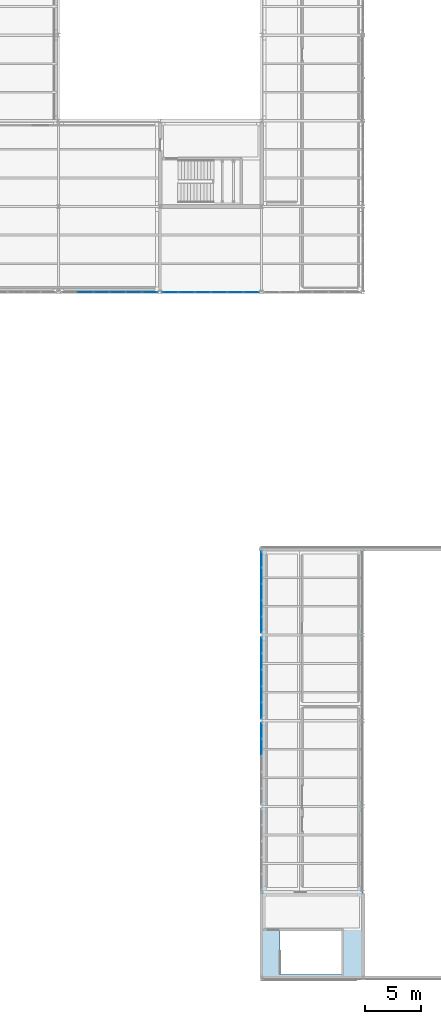
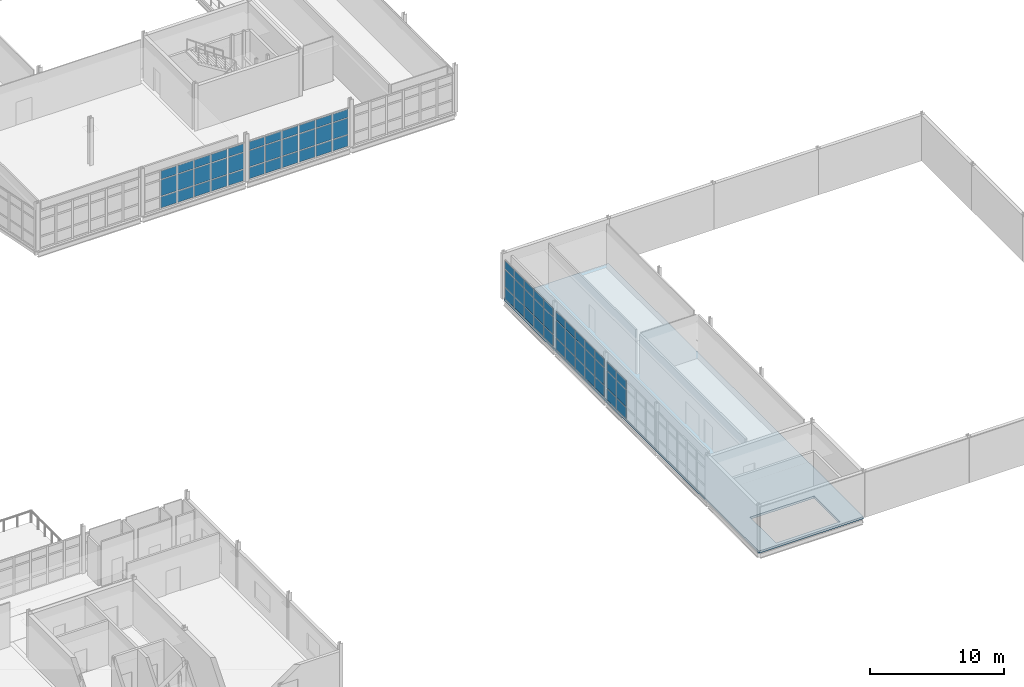
# One storey, part 136 of 166: 69 plates, 1 slab, 5 elements without a shape of their own.
"""IFC4 building model written with IfcOpenShell, lengths in metres."""

from ifc_helpers import new_model, si_unit, direction, frame, origin, origin_2d, place, context, subcontext, project, spatial, polyline, rectangle, outline, extrude, material, layer, layer_set, type_object, element, aggregate, save


model = new_model("IFC4")

# Units and contexts
model_context = context("Model", 3, precision=1e-05, world=origin(), true_north=direction((0.0, 1.0)))
body_context = subcontext(model_context, "Body", "Model", "MODEL_VIEW")
ifc_project = project(units=[si_unit("LENGTHUNIT", "METRE"), si_unit("AREAUNIT", "SQUARE_METRE"), si_unit("VOLUMEUNIT", "CUBIC_METRE"), si_unit("PLANEANGLEUNIT", "RADIAN"), si_unit("MASSUNIT", "GRAM", prefix="KILO")], contexts=[model_context])

# Site, building, storey
site_placement = place(None, origin())
site = spatial("IfcSite", under=ifc_project, at=site_placement, CompositionType="ELEMENT")
building_placement = place(site_placement, origin())
building = spatial("IfcBuilding", under=site, at=building_placement, Name="Caisbarro Railhouse Central Library", CompositionType="ELEMENT")
storey_placement = place(building_placement, frame((0.0, 0.0, 9.360107421875)))
storey = spatial("IfcBuildingStorey", under=building, at=storey_placement, Name="L02", CompositionType="ELEMENT", Elevation=9.360107421875)

# Curtain wall, plates
ifc_material_1 = material(Name="Anodised architectural aluminium", Category="aluminium")
curtain_wall_type = type_object("IfcCurtainWallType", Name="CW-CW02", PredefinedType="NOTDEFINED", material=ifc_material_1)
curtain_wall_1_placement = place(storey_placement, origin())
curtain_wall_1 = element("IfcCurtainWall", 1, at=curtain_wall_1_placement, inside=storey, type_object=curtain_wall_type, Name="CW02 curtain wall L02 #134", PredefinedType="NOTDEFINED")
ifc_material_2 = material(Name="Double low-e laminated solar-control glass", Category="glass")
ifc_layer_1 = layer(ifc_material_2, 0.028076171875, Name="Double low-e laminated solar-control glass")
ifc_layer_set_1 = layer_set([ifc_layer_1], Name="Double low-e laminated solar-control glass")
plate_type_1 = type_object("IfcPlateType", Name="CWP-CP28", PredefinedType="CURTAIN_PANEL", material=ifc_layer_set_1)
plate_1_placement = place(storey_placement, frame((128.330078125, 60.800048828125, 0.07470703125), z_axis=(0.0, 0.0, 1.0), x_axis=(1.0, 0.0, 0.0)))
plate_1 = element("IfcPlate", 2, at=plate_1_placement, type_object=plate_type_1, Name="CW02 panel 2.1", PredefinedType="CURTAIN_PANEL", context=body_context, shape_type="SweptSolid", body=[
    extrude(rectangle(XDim=1.37158203125, YDim=0.028076171875, at=origin_2d()), origin(), (0.0, 0.0, 1.0), 1.007568359375),
])
plate_2_placement = place(storey_placement, frame((128.330078125, 60.800048828125, 1.1572265625), z_axis=(0.0, 0.0, 1.0), x_axis=(1.0, 0.0, 0.0)))
plate_2 = element("IfcPlate", 3, at=plate_2_placement, type_object=plate_type_1, Name="CW02 panel 2.2", PredefinedType="CURTAIN_PANEL", context=body_context, shape_type="SweptSolid", body=[
    extrude(rectangle(XDim=1.37158203125, YDim=0.028076171875, at=origin_2d()), origin(), (0.0, 0.0, 1.0), 1.465087890625),
])
plate_3_placement = place(storey_placement, frame((128.330078125, 60.800048828125, 2.697265625), z_axis=(0.0, 0.0, 1.0), x_axis=(1.0, 0.0, 0.0)))
plate_3 = element("IfcPlate", 4, at=plate_3_placement, type_object=plate_type_1, Name="CW02 panel 2.3", PredefinedType="CURTAIN_PANEL", context=body_context, shape_type="SweptSolid", body=[
    extrude(rectangle(XDim=1.37158203125, YDim=0.028076171875, at=origin_2d()), origin(), (0.0, 0.0, 1.0), 0.737548828125),
])
plate_4_placement = place(storey_placement, frame((129.776611328125, 60.800048828125, 0.07470703125), z_axis=(0.0, 0.0, 1.0), x_axis=(1.0, 0.0, 0.0)))
plate_4 = element("IfcPlate", 5, at=plate_4_placement, type_object=plate_type_1, Name="CW02 panel 3.1", PredefinedType="CURTAIN_PANEL", context=body_context, shape_type="SweptSolid", body=[
    extrude(rectangle(XDim=1.37158203125, YDim=0.028076171875, at=origin_2d()), origin(), (0.0, 0.0, 1.0), 1.007568359375),
])
plate_5_placement = place(storey_placement, frame((129.776611328125, 60.800048828125, 1.1572265625), z_axis=(0.0, 0.0, 1.0), x_axis=(1.0, 0.0, 0.0)))
plate_5 = element("IfcPlate", 6, at=plate_5_placement, type_object=plate_type_1, Name="CW02 panel 3.2", PredefinedType="CURTAIN_PANEL", context=body_context, shape_type="SweptSolid", body=[
    extrude(rectangle(XDim=1.37158203125, YDim=0.028076171875, at=origin_2d()), origin(), (0.0, 0.0, 1.0), 1.465087890625),
])
plate_6_placement = place(storey_placement, frame((129.776611328125, 60.800048828125, 2.697265625), z_axis=(0.0, 0.0, 1.0), x_axis=(1.0, 0.0, 0.0)))
plate_6 = element("IfcPlate", 7, at=plate_6_placement, type_object=plate_type_1, Name="CW02 panel 3.3", PredefinedType="CURTAIN_PANEL", context=body_context, shape_type="SweptSolid", body=[
    extrude(rectangle(XDim=1.37158203125, YDim=0.028076171875, at=origin_2d()), origin(), (0.0, 0.0, 1.0), 0.737548828125),
])
plate_7_placement = place(storey_placement, frame((131.223388671875, 60.800048828125, 0.07470703125), z_axis=(0.0, 0.0, 1.0), x_axis=(1.0, 0.0, 0.0)))
plate_7 = element("IfcPlate", 8, at=plate_7_placement, type_object=plate_type_1, Name="CW02 panel 4.1", PredefinedType="CURTAIN_PANEL", context=body_context, shape_type="SweptSolid", body=[
    extrude(rectangle(XDim=1.37158203125, YDim=0.028076171875, at=origin_2d()), origin(), (0.0, 0.0, 1.0), 1.007568359375),
])
plate_8_placement = place(storey_placement, frame((131.223388671875, 60.800048828125, 1.1572265625), z_axis=(0.0, 0.0, 1.0), x_axis=(1.0, 0.0, 0.0)))
plate_8 = element("IfcPlate", 9, at=plate_8_placement, type_object=plate_type_1, Name="CW02 panel 4.2", PredefinedType="CURTAIN_PANEL", context=body_context, shape_type="SweptSolid", body=[
    extrude(rectangle(XDim=1.37158203125, YDim=0.028076171875, at=origin_2d()), origin(), (0.0, 0.0, 1.0), 1.465087890625),
])
plate_9_placement = place(storey_placement, frame((131.223388671875, 60.800048828125, 2.697265625), z_axis=(0.0, 0.0, 1.0), x_axis=(1.0, 0.0, 0.0)))
plate_9 = element("IfcPlate", 10, at=plate_9_placement, type_object=plate_type_1, Name="CW02 panel 4.3", PredefinedType="CURTAIN_PANEL", context=body_context, shape_type="SweptSolid", body=[
    extrude(rectangle(XDim=1.37158203125, YDim=0.028076171875, at=origin_2d()), origin(), (0.0, 0.0, 1.0), 0.737548828125),
])
plate_10_placement = place(storey_placement, frame((132.669921875, 60.800048828125, 0.07470703125), z_axis=(0.0, 0.0, 1.0), x_axis=(1.0, 0.0, 0.0)))
plate_10 = element("IfcPlate", 11, at=plate_10_placement, type_object=plate_type_1, Name="CW02 panel 5.1", PredefinedType="CURTAIN_PANEL", context=body_context, shape_type="SweptSolid", body=[
    extrude(rectangle(XDim=1.37158203125, YDim=0.028076171875, at=origin_2d()), origin(), (0.0, 0.0, 1.0), 1.007568359375),
])
plate_11_placement = place(storey_placement, frame((132.669921875, 60.800048828125, 1.1572265625), z_axis=(0.0, 0.0, 1.0), x_axis=(1.0, 0.0, 0.0)))
plate_11 = element("IfcPlate", 12, at=plate_11_placement, type_object=plate_type_1, Name="CW02 panel 5.2", PredefinedType="CURTAIN_PANEL", context=body_context, shape_type="SweptSolid", body=[
    extrude(rectangle(XDim=1.37158203125, YDim=0.028076171875, at=origin_2d()), origin(), (0.0, 0.0, 1.0), 1.465087890625),
])
plate_12_placement = place(storey_placement, frame((132.669921875, 60.800048828125, 2.697265625), z_axis=(0.0, 0.0, 1.0), x_axis=(1.0, 0.0, 0.0)))
plate_12 = element("IfcPlate", 13, at=plate_12_placement, type_object=plate_type_1, Name="CW02 panel 5.3", PredefinedType="CURTAIN_PANEL", context=body_context, shape_type="SweptSolid", body=[
    extrude(rectangle(XDim=1.37158203125, YDim=0.028076171875, at=origin_2d()), origin(), (0.0, 0.0, 1.0), 0.737548828125),
])
plate_13_placement = place(storey_placement, frame((134.097900390625, 60.800048828125, 0.07470703125), z_axis=(0.0, 0.0, 1.0), x_axis=(1.0, 0.0, 0.0)))
plate_13 = element("IfcPlate", 14, at=plate_13_placement, type_object=plate_type_1, Name="CW02 panel 6.1", PredefinedType="CURTAIN_PANEL", context=body_context, shape_type="SweptSolid", body=[
    extrude(rectangle(XDim=1.334228515625, YDim=0.028076171875, at=origin_2d()), origin(), (0.0, 0.0, 1.0), 1.007568359375),
])
plate_14_placement = place(storey_placement, frame((134.097900390625, 60.800048828125, 1.1572265625), z_axis=(0.0, 0.0, 1.0), x_axis=(1.0, 0.0, 0.0)))
plate_14 = element("IfcPlate", 15, at=plate_14_placement, type_object=plate_type_1, Name="CW02 panel 6.2", PredefinedType="CURTAIN_PANEL", context=body_context, shape_type="SweptSolid", body=[
    extrude(rectangle(XDim=1.334228515625, YDim=0.028076171875, at=origin_2d()), origin(), (0.0, 0.0, 1.0), 1.465087890625),
])
plate_15_placement = place(storey_placement, frame((134.097900390625, 60.800048828125, 2.697265625), z_axis=(0.0, 0.0, 1.0), x_axis=(1.0, 0.0, 0.0)))
plate_15 = element("IfcPlate", 16, at=plate_15_placement, type_object=plate_type_1, Name="CW02 panel 6.3", PredefinedType="CURTAIN_PANEL", context=body_context, shape_type="SweptSolid", body=[
    extrude(rectangle(XDim=1.334228515625, YDim=0.028076171875, at=origin_2d()), origin(), (0.0, 0.0, 1.0), 0.737548828125),
])
aggregate(curtain_wall_1, [plate_1, plate_2, plate_3, plate_4, plate_5, plate_6, plate_7, plate_8, plate_9, plate_10, plate_11, plate_12, plate_13, plate_14, plate_15])

curtain_wall_2_placement = place(storey_placement, origin())
curtain_wall_2 = element("IfcCurtainWall", 17, at=curtain_wall_2_placement, inside=storey, type_object=curtain_wall_type, Name="CW02 curtain wall L02 #135", PredefinedType="NOTDEFINED")
plate_16_placement = place(storey_placement, frame((135.902099609375, 60.800048828125, 0.07470703125), z_axis=(0.0, 0.0, 1.0), x_axis=(1.0, 0.0, 0.0)))
plate_16 = element("IfcPlate", 18, at=plate_16_placement, type_object=plate_type_1, Name="CW02 panel 1.1", PredefinedType="CURTAIN_PANEL", context=body_context, shape_type="SweptSolid", body=[
    extrude(rectangle(XDim=1.334228515625, YDim=0.028076171875, at=origin_2d()), origin(), (0.0, 0.0, 1.0), 1.007568359375),
])
plate_17_placement = place(storey_placement, frame((135.902099609375, 60.800048828125, 1.1572265625), z_axis=(0.0, 0.0, 1.0), x_axis=(1.0, 0.0, 0.0)))
plate_17 = element("IfcPlate", 19, at=plate_17_placement, type_object=plate_type_1, Name="CW02 panel 1.2", PredefinedType="CURTAIN_PANEL", context=body_context, shape_type="SweptSolid", body=[
    extrude(rectangle(XDim=1.334228515625, YDim=0.028076171875, at=origin_2d()), origin(), (0.0, 0.0, 1.0), 1.465087890625),
])
plate_18_placement = place(storey_placement, frame((135.902099609375, 60.800048828125, 2.697265625), z_axis=(0.0, 0.0, 1.0), x_axis=(1.0, 0.0, 0.0)))
plate_18 = element("IfcPlate", 20, at=plate_18_placement, type_object=plate_type_1, Name="CW02 panel 1.3", PredefinedType="CURTAIN_PANEL", context=body_context, shape_type="SweptSolid", body=[
    extrude(rectangle(XDim=1.334228515625, YDim=0.028076171875, at=origin_2d()), origin(), (0.0, 0.0, 1.0), 0.737548828125),
])
plate_19_placement = place(storey_placement, frame((137.330078125, 60.800048828125, 0.07470703125), z_axis=(0.0, 0.0, 1.0), x_axis=(1.0, 0.0, 0.0)))
plate_19 = element("IfcPlate", 21, at=plate_19_placement, type_object=plate_type_1, Name="CW02 panel 2.1", PredefinedType="CURTAIN_PANEL", context=body_context, shape_type="SweptSolid", body=[
    extrude(rectangle(XDim=1.37158203125, YDim=0.028076171875, at=origin_2d()), origin(), (0.0, 0.0, 1.0), 1.007568359375),
])
plate_20_placement = place(storey_placement, frame((137.330078125, 60.800048828125, 1.1572265625), z_axis=(0.0, 0.0, 1.0), x_axis=(1.0, 0.0, 0.0)))
plate_20 = element("IfcPlate", 22, at=plate_20_placement, type_object=plate_type_1, Name="CW02 panel 2.2", PredefinedType="CURTAIN_PANEL", context=body_context, shape_type="SweptSolid", body=[
    extrude(rectangle(XDim=1.37158203125, YDim=0.028076171875, at=origin_2d()), origin(), (0.0, 0.0, 1.0), 1.465087890625),
])
plate_21_placement = place(storey_placement, frame((137.330078125, 60.800048828125, 2.697265625), z_axis=(0.0, 0.0, 1.0), x_axis=(1.0, 0.0, 0.0)))
plate_21 = element("IfcPlate", 23, at=plate_21_placement, type_object=plate_type_1, Name="CW02 panel 2.3", PredefinedType="CURTAIN_PANEL", context=body_context, shape_type="SweptSolid", body=[
    extrude(rectangle(XDim=1.37158203125, YDim=0.028076171875, at=origin_2d()), origin(), (0.0, 0.0, 1.0), 0.737548828125),
])
plate_22_placement = place(storey_placement, frame((138.776611328125, 60.800048828125, 0.07470703125), z_axis=(0.0, 0.0, 1.0), x_axis=(1.0, 0.0, 0.0)))
plate_22 = element("IfcPlate", 24, at=plate_22_placement, type_object=plate_type_1, Name="CW02 panel 3.1", PredefinedType="CURTAIN_PANEL", context=body_context, shape_type="SweptSolid", body=[
    extrude(rectangle(XDim=1.37158203125, YDim=0.028076171875, at=origin_2d()), origin(), (0.0, 0.0, 1.0), 1.007568359375),
])
plate_23_placement = place(storey_placement, frame((138.776611328125, 60.800048828125, 1.1572265625), z_axis=(0.0, 0.0, 1.0), x_axis=(1.0, 0.0, 0.0)))
plate_23 = element("IfcPlate", 25, at=plate_23_placement, type_object=plate_type_1, Name="CW02 panel 3.2", PredefinedType="CURTAIN_PANEL", context=body_context, shape_type="SweptSolid", body=[
    extrude(rectangle(XDim=1.37158203125, YDim=0.028076171875, at=origin_2d()), origin(), (0.0, 0.0, 1.0), 1.465087890625),
])
plate_24_placement = place(storey_placement, frame((138.776611328125, 60.800048828125, 2.697265625), z_axis=(0.0, 0.0, 1.0), x_axis=(1.0, 0.0, 0.0)))
plate_24 = element("IfcPlate", 26, at=plate_24_placement, type_object=plate_type_1, Name="CW02 panel 3.3", PredefinedType="CURTAIN_PANEL", context=body_context, shape_type="SweptSolid", body=[
    extrude(rectangle(XDim=1.37158203125, YDim=0.028076171875, at=origin_2d()), origin(), (0.0, 0.0, 1.0), 0.737548828125),
])
plate_25_placement = place(storey_placement, frame((140.223388671875, 60.800048828125, 0.07470703125), z_axis=(0.0, 0.0, 1.0), x_axis=(1.0, 0.0, 0.0)))
plate_25 = element("IfcPlate", 27, at=plate_25_placement, type_object=plate_type_1, Name="CW02 panel 4.1", PredefinedType="CURTAIN_PANEL", context=body_context, shape_type="SweptSolid", body=[
    extrude(rectangle(XDim=1.37158203125, YDim=0.028076171875, at=origin_2d()), origin(), (0.0, 0.0, 1.0), 1.007568359375),
])
plate_26_placement = place(storey_placement, frame((140.223388671875, 60.800048828125, 1.1572265625), z_axis=(0.0, 0.0, 1.0), x_axis=(1.0, 0.0, 0.0)))
plate_26 = element("IfcPlate", 28, at=plate_26_placement, type_object=plate_type_1, Name="CW02 panel 4.2", PredefinedType="CURTAIN_PANEL", context=body_context, shape_type="SweptSolid", body=[
    extrude(rectangle(XDim=1.37158203125, YDim=0.028076171875, at=origin_2d()), origin(), (0.0, 0.0, 1.0), 1.465087890625),
])
plate_27_placement = place(storey_placement, frame((140.223388671875, 60.800048828125, 2.697265625), z_axis=(0.0, 0.0, 1.0), x_axis=(1.0, 0.0, 0.0)))
plate_27 = element("IfcPlate", 29, at=plate_27_placement, type_object=plate_type_1, Name="CW02 panel 4.3", PredefinedType="CURTAIN_PANEL", context=body_context, shape_type="SweptSolid", body=[
    extrude(rectangle(XDim=1.37158203125, YDim=0.028076171875, at=origin_2d()), origin(), (0.0, 0.0, 1.0), 0.737548828125),
])
plate_28_placement = place(storey_placement, frame((141.669921875, 60.800048828125, 0.07470703125), z_axis=(0.0, 0.0, 1.0), x_axis=(1.0, 0.0, 0.0)))
plate_28 = element("IfcPlate", 30, at=plate_28_placement, type_object=plate_type_1, Name="CW02 panel 5.1", PredefinedType="CURTAIN_PANEL", context=body_context, shape_type="SweptSolid", body=[
    extrude(rectangle(XDim=1.37158203125, YDim=0.028076171875, at=origin_2d()), origin(), (0.0, 0.0, 1.0), 1.007568359375),
])
plate_29_placement = place(storey_placement, frame((141.669921875, 60.800048828125, 1.1572265625), z_axis=(0.0, 0.0, 1.0), x_axis=(1.0, 0.0, 0.0)))
plate_29 = element("IfcPlate", 31, at=plate_29_placement, type_object=plate_type_1, Name="CW02 panel 5.2", PredefinedType="CURTAIN_PANEL", context=body_context, shape_type="SweptSolid", body=[
    extrude(rectangle(XDim=1.37158203125, YDim=0.028076171875, at=origin_2d()), origin(), (0.0, 0.0, 1.0), 1.465087890625),
])
plate_30_placement = place(storey_placement, frame((141.669921875, 60.800048828125, 2.697265625), z_axis=(0.0, 0.0, 1.0), x_axis=(1.0, 0.0, 0.0)))
plate_30 = element("IfcPlate", 32, at=plate_30_placement, type_object=plate_type_1, Name="CW02 panel 5.3", PredefinedType="CURTAIN_PANEL", context=body_context, shape_type="SweptSolid", body=[
    extrude(rectangle(XDim=1.37158203125, YDim=0.028076171875, at=origin_2d()), origin(), (0.0, 0.0, 1.0), 0.737548828125),
])
plate_31_placement = place(storey_placement, frame((143.097900390625, 60.800048828125, 0.07470703125), z_axis=(0.0, 0.0, 1.0), x_axis=(1.0, 0.0, 0.0)))
plate_31 = element("IfcPlate", 33, at=plate_31_placement, type_object=plate_type_1, Name="CW02 panel 6.1", PredefinedType="CURTAIN_PANEL", context=body_context, shape_type="SweptSolid", body=[
    extrude(rectangle(XDim=1.334228515625, YDim=0.028076171875, at=origin_2d()), origin(), (0.0, 0.0, 1.0), 1.007568359375),
])
plate_32_placement = place(storey_placement, frame((143.097900390625, 60.800048828125, 1.1572265625), z_axis=(0.0, 0.0, 1.0), x_axis=(1.0, 0.0, 0.0)))
plate_32 = element("IfcPlate", 34, at=plate_32_placement, type_object=plate_type_1, Name="CW02 panel 6.2", PredefinedType="CURTAIN_PANEL", context=body_context, shape_type="SweptSolid", body=[
    extrude(rectangle(XDim=1.334228515625, YDim=0.028076171875, at=origin_2d()), origin(), (0.0, 0.0, 1.0), 1.465087890625),
])
plate_33_placement = place(storey_placement, frame((143.097900390625, 60.800048828125, 2.697265625), z_axis=(0.0, 0.0, 1.0), x_axis=(1.0, 0.0, 0.0)))
plate_33 = element("IfcPlate", 35, at=plate_33_placement, type_object=plate_type_1, Name="CW02 panel 6.3", PredefinedType="CURTAIN_PANEL", context=body_context, shape_type="SweptSolid", body=[
    extrude(rectangle(XDim=1.334228515625, YDim=0.028076171875, at=origin_2d()), origin(), (0.0, 0.0, 1.0), 0.737548828125),
])
aggregate(curtain_wall_2, [plate_16, plate_17, plate_18, plate_19, plate_20, plate_21, plate_22, plate_23, plate_24, plate_25, plate_26, plate_27, plate_28, plate_29, plate_30, plate_31, plate_32, plate_33])

curtain_wall_3_placement = place(storey_placement, origin())
curtain_wall_3 = element("IfcCurtainWall", 36, at=curtain_wall_3_placement, inside=storey, type_object=curtain_wall_type, Name="CW02 curtain wall L02 #93", PredefinedType="NOTDEFINED")
ifc_layer_2 = layer(ifc_material_2, 0.0380859375, Name="Double low-e laminated solar-control glass")
ifc_layer_set_2 = layer_set([ifc_layer_2], Name="Double low-e laminated solar-control glass")
plate_type_2 = type_object("IfcPlateType", Name="CWP-CP38", PredefinedType="CURTAIN_PANEL", material=ifc_layer_set_2)
plate_34_placement = place(storey_placement, frame((144.0, 20.4560546875, 0.07470703125), z_axis=(0.0, 0.0, 1.0), x_axis=(0.0, 1.0, 0.0)))
plate_34 = element("IfcPlate", 37, at=plate_34_placement, type_object=plate_type_2, Name="CW02 panel 4.1", PredefinedType="CURTAIN_PANEL", context=body_context, shape_type="SweptSolid", body=[
    extrude(rectangle(XDim=1.381103515625, YDim=0.0380859375, at=origin_2d()), origin(), (0.0, 0.0, 1.0), 1.007568359375),
])
plate_35_placement = place(storey_placement, frame((144.0, 20.4560546875, 1.157470703125), z_axis=(0.0, 0.0, 1.0), x_axis=(0.0, 1.0, 0.0)))
plate_35 = element("IfcPlate", 38, at=plate_35_placement, type_object=plate_type_2, Name="CW02 panel 4.2", PredefinedType="CURTAIN_PANEL", context=body_context, shape_type="SweptSolid", body=[
    extrude(rectangle(XDim=1.381103515625, YDim=0.0380859375, at=origin_2d()), origin(), (0.0, 0.0, 1.0), 1.544921875),
])
plate_36_placement = place(storey_placement, frame((144.0, 20.4560546875, 2.77734375), z_axis=(0.0, 0.0, 1.0), x_axis=(0.0, 1.0, 0.0)))
plate_36 = element("IfcPlate", 39, at=plate_36_placement, type_object=plate_type_2, Name="CW02 panel 4.3", PredefinedType="CURTAIN_PANEL", context=body_context, shape_type="SweptSolid", body=[
    extrude(rectangle(XDim=1.381103515625, YDim=0.0380859375, at=origin_2d()), origin(), (0.0, 0.0, 1.0), 0.737548828125),
])
plate_37_placement = place(storey_placement, frame((144.0, 21.893310546875, 0.07470703125), z_axis=(0.0, 0.0, 1.0), x_axis=(0.0, 1.0, 0.0)))
plate_37 = element("IfcPlate", 40, at=plate_37_placement, type_object=plate_type_2, Name="CW02 panel 5.1", PredefinedType="CURTAIN_PANEL", context=body_context, shape_type="SweptSolid", body=[
    extrude(rectangle(XDim=1.343505859375, YDim=0.0380859375, at=origin_2d()), origin(), (0.0, 0.0, 1.0), 1.007568359375),
])
plate_38_placement = place(storey_placement, frame((144.0, 21.893310546875, 1.157470703125), z_axis=(0.0, 0.0, 1.0), x_axis=(0.0, 1.0, 0.0)))
plate_38 = element("IfcPlate", 41, at=plate_38_placement, type_object=plate_type_2, Name="CW02 panel 5.2", PredefinedType="CURTAIN_PANEL", context=body_context, shape_type="SweptSolid", body=[
    extrude(rectangle(XDim=1.343505859375, YDim=0.0380859375, at=origin_2d()), origin(), (0.0, 0.0, 1.0), 1.544921875),
])
plate_39_placement = place(storey_placement, frame((144.0, 21.893310546875, 2.77734375), z_axis=(0.0, 0.0, 1.0), x_axis=(0.0, 1.0, 0.0)))
plate_39 = element("IfcPlate", 42, at=plate_39_placement, type_object=plate_type_2, Name="CW02 panel 5.3", PredefinedType="CURTAIN_PANEL", context=body_context, shape_type="SweptSolid", body=[
    extrude(rectangle(XDim=1.343505859375, YDim=0.0380859375, at=origin_2d()), origin(), (0.0, 0.0, 1.0), 0.737548828125),
])
aggregate(curtain_wall_3, [plate_34, plate_35, plate_36, plate_37, plate_38, plate_39])

curtain_wall_4_placement = place(storey_placement, origin())
curtain_wall_4 = element("IfcCurtainWall", 43, at=curtain_wall_4_placement, inside=storey, type_object=curtain_wall_type, Name="CW02 curtain wall L02 #94", PredefinedType="NOTDEFINED")
plate_40_placement = place(storey_placement, frame((144.0, 23.706787109375, 0.07470703125), z_axis=(0.0, 0.0, 1.0), x_axis=(0.0, 1.0, 0.0)))
plate_40 = element("IfcPlate", 44, at=plate_40_placement, type_object=plate_type_2, Name="CW02 panel 1.1", PredefinedType="CURTAIN_PANEL", context=body_context, shape_type="SweptSolid", body=[
    extrude(rectangle(XDim=1.343505859375, YDim=0.0380859375, at=origin_2d()), origin(), (0.0, 0.0, 1.0), 1.007568359375),
])
plate_41_placement = place(storey_placement, frame((144.0, 23.706787109375, 1.157470703125), z_axis=(0.0, 0.0, 1.0), x_axis=(0.0, 1.0, 0.0)))
plate_41 = element("IfcPlate", 45, at=plate_41_placement, type_object=plate_type_2, Name="CW02 panel 1.2", PredefinedType="CURTAIN_PANEL", context=body_context, shape_type="SweptSolid", body=[
    extrude(rectangle(XDim=1.343505859375, YDim=0.0380859375, at=origin_2d()), origin(), (0.0, 0.0, 1.0), 1.544921875),
])
plate_42_placement = place(storey_placement, frame((144.0, 23.706787109375, 2.77734375), z_axis=(0.0, 0.0, 1.0), x_axis=(0.0, 1.0, 0.0)))
plate_42 = element("IfcPlate", 46, at=plate_42_placement, type_object=plate_type_2, Name="CW02 panel 1.3", PredefinedType="CURTAIN_PANEL", context=body_context, shape_type="SweptSolid", body=[
    extrude(rectangle(XDim=1.343505859375, YDim=0.0380859375, at=origin_2d()), origin(), (0.0, 0.0, 1.0), 0.737548828125),
])
plate_43_placement = place(storey_placement, frame((144.0, 25.14404296875, 0.07470703125), z_axis=(0.0, 0.0, 1.0), x_axis=(0.0, 1.0, 0.0)))
plate_43 = element("IfcPlate", 47, at=plate_43_placement, type_object=plate_type_2, Name="CW02 panel 2.1", PredefinedType="CURTAIN_PANEL", context=body_context, shape_type="SweptSolid", body=[
    extrude(rectangle(XDim=1.381103515625, YDim=0.0380859375, at=origin_2d()), origin(), (0.0, 0.0, 1.0), 1.007568359375),
])
plate_44_placement = place(storey_placement, frame((144.0, 25.14404296875, 1.157470703125), z_axis=(0.0, 0.0, 1.0), x_axis=(0.0, 1.0, 0.0)))
plate_44 = element("IfcPlate", 48, at=plate_44_placement, type_object=plate_type_2, Name="CW02 panel 2.2", PredefinedType="CURTAIN_PANEL", context=body_context, shape_type="SweptSolid", body=[
    extrude(rectangle(XDim=1.381103515625, YDim=0.0380859375, at=origin_2d()), origin(), (0.0, 0.0, 1.0), 1.544921875),
])
plate_45_placement = place(storey_placement, frame((144.0, 25.14404296875, 2.77734375), z_axis=(0.0, 0.0, 1.0), x_axis=(0.0, 1.0, 0.0)))
plate_45 = element("IfcPlate", 49, at=plate_45_placement, type_object=plate_type_2, Name="CW02 panel 2.3", PredefinedType="CURTAIN_PANEL", context=body_context, shape_type="SweptSolid", body=[
    extrude(rectangle(XDim=1.381103515625, YDim=0.0380859375, at=origin_2d()), origin(), (0.0, 0.0, 1.0), 0.737548828125),
])
plate_46_placement = place(storey_placement, frame((144.0, 26.60009765625, 0.07470703125), z_axis=(0.0, 0.0, 1.0), x_axis=(0.0, 1.0, 0.0)))
plate_46 = element("IfcPlate", 50, at=plate_46_placement, type_object=plate_type_2, Name="CW02 panel 3.1", PredefinedType="CURTAIN_PANEL", context=body_context, shape_type="SweptSolid", body=[
    extrude(rectangle(XDim=1.381103515625, YDim=0.0380859375, at=origin_2d()), origin(), (0.0, 0.0, 1.0), 1.007568359375),
])
plate_47_placement = place(storey_placement, frame((144.0, 26.60009765625, 1.157470703125), z_axis=(0.0, 0.0, 1.0), x_axis=(0.0, 1.0, 0.0)))
plate_47 = element("IfcPlate", 51, at=plate_47_placement, type_object=plate_type_2, Name="CW02 panel 3.2", PredefinedType="CURTAIN_PANEL", context=body_context, shape_type="SweptSolid", body=[
    extrude(rectangle(XDim=1.381103515625, YDim=0.0380859375, at=origin_2d()), origin(), (0.0, 0.0, 1.0), 1.544921875),
])
plate_48_placement = place(storey_placement, frame((144.0, 26.60009765625, 2.77734375), z_axis=(0.0, 0.0, 1.0), x_axis=(0.0, 1.0, 0.0)))
plate_48 = element("IfcPlate", 52, at=plate_48_placement, type_object=plate_type_2, Name="CW02 panel 3.3", PredefinedType="CURTAIN_PANEL", context=body_context, shape_type="SweptSolid", body=[
    extrude(rectangle(XDim=1.381103515625, YDim=0.0380859375, at=origin_2d()), origin(), (0.0, 0.0, 1.0), 0.737548828125),
])
plate_49_placement = place(storey_placement, frame((144.0, 28.055908203125, 0.07470703125), z_axis=(0.0, 0.0, 1.0), x_axis=(0.0, 1.0, 0.0)))
plate_49 = element("IfcPlate", 53, at=plate_49_placement, type_object=plate_type_2, Name="CW02 panel 4.1", PredefinedType="CURTAIN_PANEL", context=body_context, shape_type="SweptSolid", body=[
    extrude(rectangle(XDim=1.381103515625, YDim=0.0380859375, at=origin_2d()), origin(), (0.0, 0.0, 1.0), 1.007568359375),
])
plate_50_placement = place(storey_placement, frame((144.0, 28.055908203125, 1.157470703125), z_axis=(0.0, 0.0, 1.0), x_axis=(0.0, 1.0, 0.0)))
plate_50 = element("IfcPlate", 54, at=plate_50_placement, type_object=plate_type_2, Name="CW02 panel 4.2", PredefinedType="CURTAIN_PANEL", context=body_context, shape_type="SweptSolid", body=[
    extrude(rectangle(XDim=1.381103515625, YDim=0.0380859375, at=origin_2d()), origin(), (0.0, 0.0, 1.0), 1.544921875),
])
plate_51_placement = place(storey_placement, frame((144.0, 28.055908203125, 2.77734375), z_axis=(0.0, 0.0, 1.0), x_axis=(0.0, 1.0, 0.0)))
plate_51 = element("IfcPlate", 55, at=plate_51_placement, type_object=plate_type_2, Name="CW02 panel 4.3", PredefinedType="CURTAIN_PANEL", context=body_context, shape_type="SweptSolid", body=[
    extrude(rectangle(XDim=1.381103515625, YDim=0.0380859375, at=origin_2d()), origin(), (0.0, 0.0, 1.0), 0.737548828125),
])
plate_52_placement = place(storey_placement, frame((144.0, 29.4931640625, 0.07470703125), z_axis=(0.0, 0.0, 1.0), x_axis=(0.0, 1.0, 0.0)))
plate_52 = element("IfcPlate", 56, at=plate_52_placement, type_object=plate_type_2, Name="CW02 panel 5.1", PredefinedType="CURTAIN_PANEL", context=body_context, shape_type="SweptSolid", body=[
    extrude(rectangle(XDim=1.343505859375, YDim=0.0380859375, at=origin_2d()), origin(), (0.0, 0.0, 1.0), 1.007568359375),
])
plate_53_placement = place(storey_placement, frame((144.0, 29.4931640625, 1.157470703125), z_axis=(0.0, 0.0, 1.0), x_axis=(0.0, 1.0, 0.0)))
plate_53 = element("IfcPlate", 57, at=plate_53_placement, type_object=plate_type_2, Name="CW02 panel 5.2", PredefinedType="CURTAIN_PANEL", context=body_context, shape_type="SweptSolid", body=[
    extrude(rectangle(XDim=1.343505859375, YDim=0.0380859375, at=origin_2d()), origin(), (0.0, 0.0, 1.0), 1.544921875),
])
plate_54_placement = place(storey_placement, frame((144.0, 29.4931640625, 2.77734375), z_axis=(0.0, 0.0, 1.0), x_axis=(0.0, 1.0, 0.0)))
plate_54 = element("IfcPlate", 58, at=plate_54_placement, type_object=plate_type_2, Name="CW02 panel 5.3", PredefinedType="CURTAIN_PANEL", context=body_context, shape_type="SweptSolid", body=[
    extrude(rectangle(XDim=1.343505859375, YDim=0.0380859375, at=origin_2d()), origin(), (0.0, 0.0, 1.0), 0.737548828125),
])
aggregate(curtain_wall_4, [plate_40, plate_41, plate_42, plate_43, plate_44, plate_45, plate_46, plate_47, plate_48, plate_49, plate_50, plate_51, plate_52, plate_53, plate_54])

curtain_wall_5_placement = place(storey_placement, origin())
curtain_wall_5 = element("IfcCurtainWall", 59, at=curtain_wall_5_placement, inside=storey, type_object=curtain_wall_type, Name="CW02 curtain wall L02 #95", PredefinedType="NOTDEFINED")
plate_55_placement = place(storey_placement, frame((144.0, 31.306640625, 0.07470703125), z_axis=(0.0, 0.0, 1.0), x_axis=(0.0, 1.0, 0.0)))
plate_55 = element("IfcPlate", 60, at=plate_55_placement, type_object=plate_type_2, Name="CW02 panel 1.1", PredefinedType="CURTAIN_PANEL", context=body_context, shape_type="SweptSolid", body=[
    extrude(rectangle(XDim=1.343505859375, YDim=0.0380859375, at=origin_2d()), origin(), (0.0, 0.0, 1.0), 1.007568359375),
])
plate_56_placement = place(storey_placement, frame((144.0, 31.306640625, 1.157470703125), z_axis=(0.0, 0.0, 1.0), x_axis=(0.0, 1.0, 0.0)))
plate_56 = element("IfcPlate", 61, at=plate_56_placement, type_object=plate_type_2, Name="CW02 panel 1.2", PredefinedType="CURTAIN_PANEL", context=body_context, shape_type="SweptSolid", body=[
    extrude(rectangle(XDim=1.343505859375, YDim=0.0380859375, at=origin_2d()), origin(), (0.0, 0.0, 1.0), 1.544921875),
])
plate_57_placement = place(storey_placement, frame((144.0, 31.306640625, 2.77734375), z_axis=(0.0, 0.0, 1.0), x_axis=(0.0, 1.0, 0.0)))
plate_57 = element("IfcPlate", 62, at=plate_57_placement, type_object=plate_type_2, Name="CW02 panel 1.3", PredefinedType="CURTAIN_PANEL", context=body_context, shape_type="SweptSolid", body=[
    extrude(rectangle(XDim=1.343505859375, YDim=0.0380859375, at=origin_2d()), origin(), (0.0, 0.0, 1.0), 0.737548828125),
])
plate_58_placement = place(storey_placement, frame((144.0, 32.743896484375, 0.07470703125), z_axis=(0.0, 0.0, 1.0), x_axis=(0.0, 1.0, 0.0)))
plate_58 = element("IfcPlate", 63, at=plate_58_placement, type_object=plate_type_2, Name="CW02 panel 2.1", PredefinedType="CURTAIN_PANEL", context=body_context, shape_type="SweptSolid", body=[
    extrude(rectangle(XDim=1.381103515625, YDim=0.0380859375, at=origin_2d()), origin(), (0.0, 0.0, 1.0), 1.007568359375),
])
plate_59_placement = place(storey_placement, frame((144.0, 32.743896484375, 1.157470703125), z_axis=(0.0, 0.0, 1.0), x_axis=(0.0, 1.0, 0.0)))
plate_59 = element("IfcPlate", 64, at=plate_59_placement, type_object=plate_type_2, Name="CW02 panel 2.2", PredefinedType="CURTAIN_PANEL", context=body_context, shape_type="SweptSolid", body=[
    extrude(rectangle(XDim=1.381103515625, YDim=0.0380859375, at=origin_2d()), origin(), (0.0, 0.0, 1.0), 1.544921875),
])
plate_60_placement = place(storey_placement, frame((144.0, 32.743896484375, 2.77734375), z_axis=(0.0, 0.0, 1.0), x_axis=(0.0, 1.0, 0.0)))
plate_60 = element("IfcPlate", 65, at=plate_60_placement, type_object=plate_type_2, Name="CW02 panel 2.3", PredefinedType="CURTAIN_PANEL", context=body_context, shape_type="SweptSolid", body=[
    extrude(rectangle(XDim=1.381103515625, YDim=0.0380859375, at=origin_2d()), origin(), (0.0, 0.0, 1.0), 0.737548828125),
])
plate_61_placement = place(storey_placement, frame((144.0, 34.199951171875, 0.07470703125), z_axis=(0.0, 0.0, 1.0), x_axis=(0.0, 1.0, 0.0)))
plate_61 = element("IfcPlate", 66, at=plate_61_placement, type_object=plate_type_2, Name="CW02 panel 3.1", PredefinedType="CURTAIN_PANEL", context=body_context, shape_type="SweptSolid", body=[
    extrude(rectangle(XDim=1.381103515625, YDim=0.0380859375, at=origin_2d()), origin(), (0.0, 0.0, 1.0), 1.007568359375),
])
plate_62_placement = place(storey_placement, frame((144.0, 34.199951171875, 1.157470703125), z_axis=(0.0, 0.0, 1.0), x_axis=(0.0, 1.0, 0.0)))
plate_62 = element("IfcPlate", 67, at=plate_62_placement, type_object=plate_type_2, Name="CW02 panel 3.2", PredefinedType="CURTAIN_PANEL", context=body_context, shape_type="SweptSolid", body=[
    extrude(rectangle(XDim=1.381103515625, YDim=0.0380859375, at=origin_2d()), origin(), (0.0, 0.0, 1.0), 1.544921875),
])
plate_63_placement = place(storey_placement, frame((144.0, 34.199951171875, 2.77734375), z_axis=(0.0, 0.0, 1.0), x_axis=(0.0, 1.0, 0.0)))
plate_63 = element("IfcPlate", 68, at=plate_63_placement, type_object=plate_type_2, Name="CW02 panel 3.3", PredefinedType="CURTAIN_PANEL", context=body_context, shape_type="SweptSolid", body=[
    extrude(rectangle(XDim=1.381103515625, YDim=0.0380859375, at=origin_2d()), origin(), (0.0, 0.0, 1.0), 0.737548828125),
])
plate_64_placement = place(storey_placement, frame((144.0, 35.656005859375, 0.07470703125), z_axis=(0.0, 0.0, 1.0), x_axis=(0.0, 1.0, 0.0)))
plate_64 = element("IfcPlate", 69, at=plate_64_placement, type_object=plate_type_2, Name="CW02 panel 4.1", PredefinedType="CURTAIN_PANEL", context=body_context, shape_type="SweptSolid", body=[
    extrude(rectangle(XDim=1.381103515625, YDim=0.0380859375, at=origin_2d()), origin(), (0.0, 0.0, 1.0), 1.007568359375),
])
plate_65_placement = place(storey_placement, frame((144.0, 35.656005859375, 1.157470703125), z_axis=(0.0, 0.0, 1.0), x_axis=(0.0, 1.0, 0.0)))
plate_65 = element("IfcPlate", 70, at=plate_65_placement, type_object=plate_type_2, Name="CW02 panel 4.2", PredefinedType="CURTAIN_PANEL", context=body_context, shape_type="SweptSolid", body=[
    extrude(rectangle(XDim=1.381103515625, YDim=0.0380859375, at=origin_2d()), origin(), (0.0, 0.0, 1.0), 1.544921875),
])
plate_66_placement = place(storey_placement, frame((144.0, 35.656005859375, 2.77734375), z_axis=(0.0, 0.0, 1.0), x_axis=(0.0, 1.0, 0.0)))
plate_66 = element("IfcPlate", 71, at=plate_66_placement, type_object=plate_type_2, Name="CW02 panel 4.3", PredefinedType="CURTAIN_PANEL", context=body_context, shape_type="SweptSolid", body=[
    extrude(rectangle(XDim=1.381103515625, YDim=0.0380859375, at=origin_2d()), origin(), (0.0, 0.0, 1.0), 0.737548828125),
])
plate_67_placement = place(storey_placement, frame((144.0, 37.09326171875, 0.07470703125), z_axis=(0.0, 0.0, 1.0), x_axis=(0.0, 1.0, 0.0)))
plate_67 = element("IfcPlate", 72, at=plate_67_placement, type_object=plate_type_2, Name="CW02 panel 5.1", PredefinedType="CURTAIN_PANEL", context=body_context, shape_type="SweptSolid", body=[
    extrude(rectangle(XDim=1.343505859375, YDim=0.0380859375, at=origin_2d()), origin(), (0.0, 0.0, 1.0), 1.007568359375),
])
plate_68_placement = place(storey_placement, frame((144.0, 37.09326171875, 1.157470703125), z_axis=(0.0, 0.0, 1.0), x_axis=(0.0, 1.0, 0.0)))
plate_68 = element("IfcPlate", 73, at=plate_68_placement, type_object=plate_type_2, Name="CW02 panel 5.2", PredefinedType="CURTAIN_PANEL", context=body_context, shape_type="SweptSolid", body=[
    extrude(rectangle(XDim=1.343505859375, YDim=0.0380859375, at=origin_2d()), origin(), (0.0, 0.0, 1.0), 1.544921875),
])
plate_69_placement = place(storey_placement, frame((144.0, 37.09326171875, 2.77734375), z_axis=(0.0, 0.0, 1.0), x_axis=(0.0, 1.0, 0.0)))
plate_69 = element("IfcPlate", 74, at=plate_69_placement, type_object=plate_type_2, Name="CW02 panel 5.3", PredefinedType="CURTAIN_PANEL", context=body_context, shape_type="SweptSolid", body=[
    extrude(rectangle(XDim=1.343505859375, YDim=0.0380859375, at=origin_2d()), origin(), (0.0, 0.0, 1.0), 0.737548828125),
])
aggregate(curtain_wall_5, [plate_55, plate_56, plate_57, plate_58, plate_59, plate_60, plate_61, plate_62, plate_63, plate_64, plate_65, plate_66, plate_67, plate_68, plate_69])

# Slab
ifc_material_3 = material(Name="Concrete C35", Category="concrete")
ifc_layer_3 = layer(ifc_material_3, 0.199951171875, Name="Concrete C35")
ifc_layer_set_3 = layer_set([ifc_layer_3], Name="Concrete C35")
slab_type = type_object("IfcSlabType", Name="SLB-FL20", PredefinedType="FLOOR", material=ifc_layer_set_3)
slab_placement = place(storey_placement, frame((0.0, 0.0, -0.2001953125)))
element("IfcSlab", 75, at=slab_placement, inside=storey, type_object=slab_type, Name="SF20 structural slab L02 V3.1", PredefinedType="FLOOR", context=body_context, shape_type="SweptSolid", body=[
    extrude(outline(polyline([(144.0, 0.0), (153.0, 0.0), (153.0, 38.0), (144.0, 38.0), (144.0, 0.0)]), holes=[polyline([(145.64990234375, 0.300048828125), (151.14990234375, 0.300048828125), (151.14990234375, 4.14990234375), (145.64990234375, 4.14990234375), (145.64990234375, 0.300048828125)])]), origin(), (0.0, 0.0, 1.0), 0.2001953125),
])

save(model, "model.ifc")
